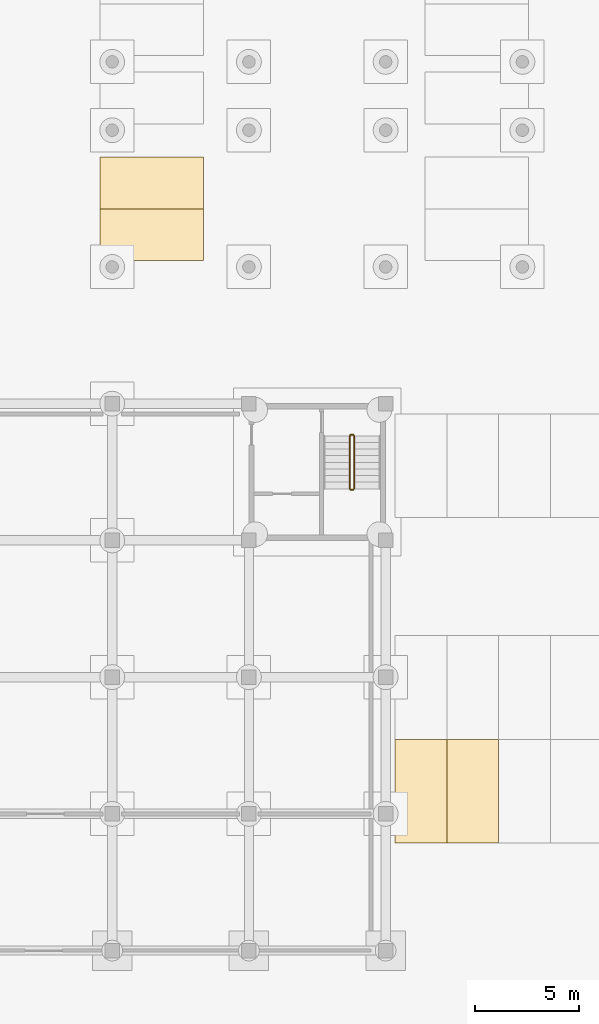
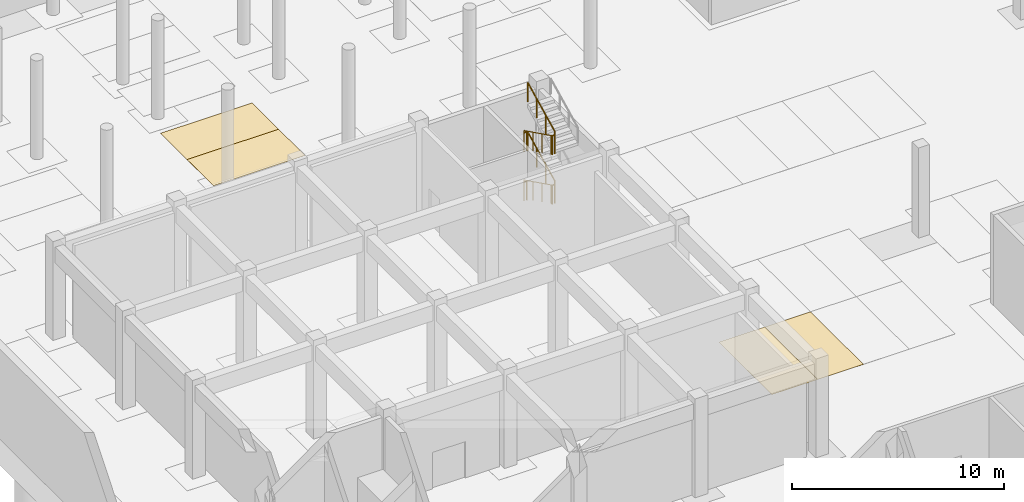
# One storey, part 32 of 38: 8 railings, 4 coverings.
"""IFC4 building model written with IfcOpenShell, lengths in metres."""

from ifc_helpers import new_model, si_unit, direction, frame, origin, origin_2d, place, context, subcontext, project, spatial, polyline, circle, outline, extrude, material, layer, layer_set, type_object, element, save


model = new_model("IFC4")

# Units and contexts
model_context = context("Model", 3, precision=1e-05, world=origin(), true_north=direction((0.0, 1.0)))
body_context = subcontext(model_context, "Body", "Model", "MODEL_VIEW")
ifc_project = project(units=[si_unit("LENGTHUNIT", "METRE"), si_unit("AREAUNIT", "SQUARE_METRE"), si_unit("VOLUMEUNIT", "CUBIC_METRE"), si_unit("PLANEANGLEUNIT", "RADIAN"), si_unit("MASSUNIT", "GRAM", prefix="KILO")], contexts=[model_context])

# Site, building, storey
site_placement = place(None, origin())
site = spatial("IfcSite", under=ifc_project, at=site_placement, CompositionType="ELEMENT")
building_placement = place(site_placement, origin())
building = spatial("IfcBuilding", under=site, at=building_placement, Name="Lantern Court Research Institute", CompositionType="ELEMENT")
storey_placement = place(building_placement, frame((0.0, 0.0, -5.699951171875)))
storey = spatial("IfcBuildingStorey", under=building, at=storey_placement, Name="B1", CompositionType="ELEMENT", Elevation=-5.699951171875)

# Coverings
ifc_material_1 = material(Name="Thermoplastic road marking paint")
ifc_layer = layer(ifc_material_1, 0.0029296875)
ifc_layer_set = layer_set([ifc_layer], Name="Thermoplastic road marking paint")
covering_type = type_object("IfcCoveringType", Name="Parking bay marking", PredefinedType="FLOORING", material=ifc_layer_set)
covering_1_placement = place(storey_placement, origin())
element("IfcCovering", 1, at=covering_1_placement, inside=storey, type_object=covering_type, Name="Parking bay marking 080", PredefinedType="FLOORING", context=body_context, shape_type="SweptSolid", body=[
    extrude(outline(polyline([(26.85009765625, 54.699951171875), (29.35009765625, 54.699951171875), (29.35009765625, 59.699951171875), (26.85009765625, 59.699951171875), (26.85009765625, 54.699951171875)])), origin(), (0.0, 0.0, 1.0), 0.0029296875),
])
covering_2_placement = place(storey_placement, origin())
element("IfcCovering", 2, at=covering_2_placement, inside=storey, type_object=covering_type, Name="Parking bay marking 081", PredefinedType="FLOORING", context=body_context, shape_type="SweptSolid", body=[
    extrude(outline(polyline([(29.35009765625, 54.699951171875), (31.85009765625, 54.699951171875), (31.85009765625, 59.699951171875), (29.35009765625, 59.699951171875), (29.35009765625, 54.699951171875)])), origin(), (0.0, 0.0, 1.0), 0.0029296875),
])
covering_3_placement = place(storey_placement, origin())
element("IfcCovering", 3, at=covering_3_placement, inside=storey, type_object=covering_type, Name="Parking bay marking 118", PredefinedType="FLOORING", context=body_context, shape_type="SweptSolid", body=[
    extrude(outline(polyline([(12.60009765625, 82.800048828125), (17.60009765625, 82.800048828125), (17.60009765625, 85.300048828125), (12.60009765625, 85.300048828125), (12.60009765625, 82.800048828125)])), origin(), (0.0, 0.0, 1.0), 0.0029296875),
])
covering_4_placement = place(storey_placement, origin())
element("IfcCovering", 4, at=covering_4_placement, inside=storey, type_object=covering_type, Name="Parking bay marking 121", PredefinedType="FLOORING", context=body_context, shape_type="SweptSolid", body=[
    extrude(outline(polyline([(12.60009765625, 85.300048828125), (17.60009765625, 85.300048828125), (17.60009765625, 87.800048828125), (12.60009765625, 87.800048828125), (12.60009765625, 85.300048828125)])), origin(), (0.0, 0.0, 1.0), 0.0029296875),
])

# Railings
ifc_material_2 = material(Name="Structural steel S355", Category="steel")
railing_type = type_object("IfcRailingType", Name="Stair guard 1100 steel", PredefinedType="GUARDRAIL", material=ifc_material_2)
railing_1_placement = place(storey_placement, frame((24.675048828125, 74.35009765625, 0.158203125)))
element("IfcRailing", 5, at=railing_1_placement, inside=storey, type_object=railing_type, Name="B1 ST-C2 stair guard 1", PredefinedType="GUARDRAIL", context=body_context, shape_type="SweptSolid", body=[
    extrude(circle(Radius=0.02392578125, at=origin_2d()), frame((0.0, 0.0, 1.076171875), z_axis=(0.0, -0.896265777717, 0.443517367974), x_axis=(1.0, 0.0, 0.0)), (0.0, 0.0, 1.0), 2.8564453125),
    extrude(circle(Radius=0.02099609375, at=origin_2d()), origin(), (0.0, 0.0, 1.0), 1.052001953125),
    extrude(circle(Radius=0.02099609375, at=origin_2d()), frame((0.0, -0.853271484375, 0.42236328125)), (0.0, 0.0, 1.0), 1.052001953125),
    extrude(circle(Radius=0.02099609375, at=origin_2d()), frame((0.0, -1.706787109375, 0.844482421875)), (0.0, 0.0, 1.0), 1.052001953125),
    extrude(circle(Radius=0.02099609375, at=origin_2d()), frame((0.0, -2.56005859375, 1.266845703125)), (0.0, 0.0, 1.0), 1.052001953125),
])
railing_2_placement = place(storey_placement, frame((24.699951171875, 71.739990234375, 1.425048828125)))
element("IfcRailing", 6, at=railing_2_placement, inside=storey, type_object=railing_type, Name="B1 ST-C2 stair guard 2", PredefinedType="GUARDRAIL", context=body_context, shape_type="SweptSolid", body=[
    extrude(circle(Radius=0.02392578125, at=origin_2d()), frame((0.0, 0.0, 1.076171875), z_axis=(1.0, 0.0, 0.0), x_axis=(0.0, 1.0, 0.0)), (0.0, 0.0, 1.0), 0.150146484375),
    extrude(circle(Radius=0.02099609375, at=origin_2d()), origin(), (0.0, 0.0, 1.0), 1.052001953125),
    extrude(circle(Radius=0.02099609375, at=origin_2d()), frame((0.150146484375, 0.0, 0.0)), (0.0, 0.0, 1.0), 1.052001953125),
])
railing_3_placement = place(storey_placement, frame((24.875, 71.7900390625, 1.583251953125)))
element("IfcRailing", 7, at=railing_3_placement, inside=storey, type_object=railing_type, Name="B1 ST-C2 stair guard 3", PredefinedType="GUARDRAIL", context=body_context, shape_type="SweptSolid", body=[
    extrude(circle(Radius=0.02392578125, at=origin_2d()), frame((0.0, 0.0, 1.076171875), z_axis=(0.0, 0.896299752543, 0.443448704577), x_axis=(-1.0, 0.0, 0.0)), (0.0, 0.0, 1.0), 2.856201171875),
    extrude(circle(Radius=0.02099609375, at=origin_2d()), origin(), (0.0, 0.0, 1.0), 1.052001953125),
    extrude(circle(Radius=0.02099609375, at=origin_2d()), frame((0.0, 0.853271484375, 0.422119140625)), (0.0, 0.0, 1.0), 1.052001953125),
    extrude(circle(Radius=0.02099609375, at=origin_2d()), frame((0.0, 1.706787109375, 0.844482421875)), (0.0, 0.0, 1.0), 1.052001953125),
    extrude(circle(Radius=0.02099609375, at=origin_2d()), frame((0.0, 2.56005859375, 1.2666015625)), (0.0, 0.0, 1.0), 1.052001953125),
])
railing_4_placement = place(storey_placement, frame((24.699951171875, 74.39990234375, 2.849853515625)))
element("IfcRailing", 8, at=railing_4_placement, inside=storey, type_object=railing_type, Name="B1 ST-C2 stair guard 4", PredefinedType="GUARDRAIL", context=body_context, shape_type="SweptSolid", body=[
    extrude(circle(Radius=0.02392578125, at=origin_2d()), frame((0.0, 0.0, 1.076171875), z_axis=(1.0, 0.0, 0.0), x_axis=(0.0, 1.0, 0.0)), (0.0, 0.0, 1.0), 0.150146484375),
    extrude(circle(Radius=0.02099609375, at=origin_2d()), origin(), (0.0, 0.0, 1.0), 1.052001953125),
    extrude(circle(Radius=0.02099609375, at=origin_2d()), frame((0.150146484375, 0.0, 0.0)), (0.0, 0.0, 1.0), 1.052001953125),
])
railing_5_placement = place(storey_placement, frame((24.675048828125, 74.35009765625, 3.00830078125)))
element("IfcRailing", 9, at=railing_5_placement, inside=storey, type_object=railing_type, Name="B1 ST-C2 stair guard 5", PredefinedType="GUARDRAIL", context=body_context, shape_type="SweptSolid", body=[
    extrude(circle(Radius=0.02392578125, at=origin_2d()), frame((0.0, 0.0, 1.076171875), z_axis=(0.0, -0.896299752543, 0.443448704577), x_axis=(1.0, 0.0, 0.0)), (0.0, 0.0, 1.0), 2.856201171875),
    extrude(circle(Radius=0.02099609375, at=origin_2d()), origin(), (0.0, 0.0, 1.0), 1.052001953125),
    extrude(circle(Radius=0.02099609375, at=origin_2d()), frame((0.0, -0.853271484375, 0.422119140625)), (0.0, 0.0, 1.0), 1.052001953125),
    extrude(circle(Radius=0.02099609375, at=origin_2d()), frame((0.0, -1.706787109375, 0.844482421875)), (0.0, 0.0, 1.0), 1.052001953125),
    extrude(circle(Radius=0.02099609375, at=origin_2d()), frame((0.0, -2.56005859375, 1.2666015625)), (0.0, 0.0, 1.0), 1.052001953125),
])
railing_6_placement = place(storey_placement, frame((24.699951171875, 71.739990234375, 4.27490234375)))
element("IfcRailing", 10, at=railing_6_placement, inside=storey, type_object=railing_type, Name="B1 ST-C2 stair guard 6", PredefinedType="GUARDRAIL", context=body_context, shape_type="SweptSolid", body=[
    extrude(circle(Radius=0.02392578125, at=origin_2d()), frame((0.0, 0.0, 1.076171875), z_axis=(1.0, 0.0, 0.0), x_axis=(0.0, 1.0, 0.0)), (0.0, 0.0, 1.0), 0.150146484375),
    extrude(circle(Radius=0.02099609375, at=origin_2d()), origin(), (0.0, 0.0, 1.0), 1.052001953125),
    extrude(circle(Radius=0.02099609375, at=origin_2d()), frame((0.150146484375, 0.0, 0.0)), (0.0, 0.0, 1.0), 1.052001953125),
])
railing_7_placement = place(storey_placement, frame((24.875, 71.7900390625, 4.433349609375)))
element("IfcRailing", 11, at=railing_7_placement, inside=storey, type_object=railing_type, Name="B1 ST-C2 stair guard 7", PredefinedType="GUARDRAIL", context=body_context, shape_type="SweptSolid", body=[
    extrude(circle(Radius=0.02392578125, at=origin_2d()), frame((0.0, 0.0, 1.076171875), z_axis=(0.0, 0.896299752543, 0.443448704577), x_axis=(-1.0, 0.0, 0.0)), (0.0, 0.0, 1.0), 2.856201171875),
    extrude(circle(Radius=0.02099609375, at=origin_2d()), origin(), (0.0, 0.0, 1.0), 1.052001953125),
    extrude(circle(Radius=0.02099609375, at=origin_2d()), frame((0.0, 0.853271484375, 0.422119140625)), (0.0, 0.0, 1.0), 1.052001953125),
    extrude(circle(Radius=0.02099609375, at=origin_2d()), frame((0.0, 1.706787109375, 0.844482421875)), (0.0, 0.0, 1.0), 1.052001953125),
    extrude(circle(Radius=0.02099609375, at=origin_2d()), frame((0.0, 2.56005859375, 1.2666015625)), (0.0, 0.0, 1.0), 1.052001953125),
])
railing_8_placement = place(storey_placement, frame((24.699951171875, 74.39990234375, 0.0)))
element("IfcRailing", 12, at=railing_8_placement, inside=storey, type_object=railing_type, Name="B1 ST-C2 stair guard 8", PredefinedType="GUARDRAIL", context=body_context, shape_type="SweptSolid", body=[
    extrude(circle(Radius=0.02392578125, at=origin_2d()), frame((0.0, 0.0, 1.076171875), z_axis=(1.0, 0.0, 0.0), x_axis=(0.0, 1.0, 0.0)), (0.0, 0.0, 1.0), 0.150146484375),
    extrude(circle(Radius=0.02099609375, at=origin_2d()), origin(), (0.0, 0.0, 1.0), 1.052001953125),
    extrude(circle(Radius=0.02099609375, at=origin_2d()), frame((0.150146484375, 0.0, 0.0)), (0.0, 0.0, 1.0), 1.052001953125),
])

save(model, "model.ifc")
